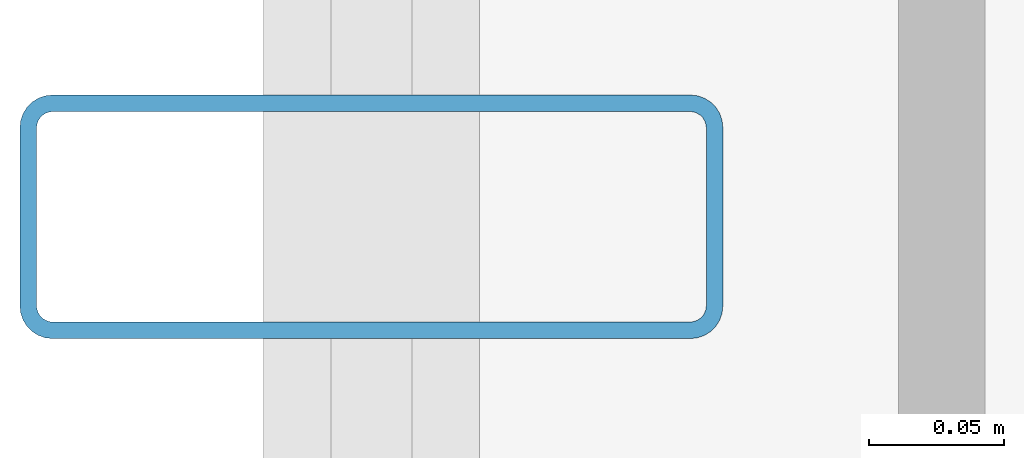
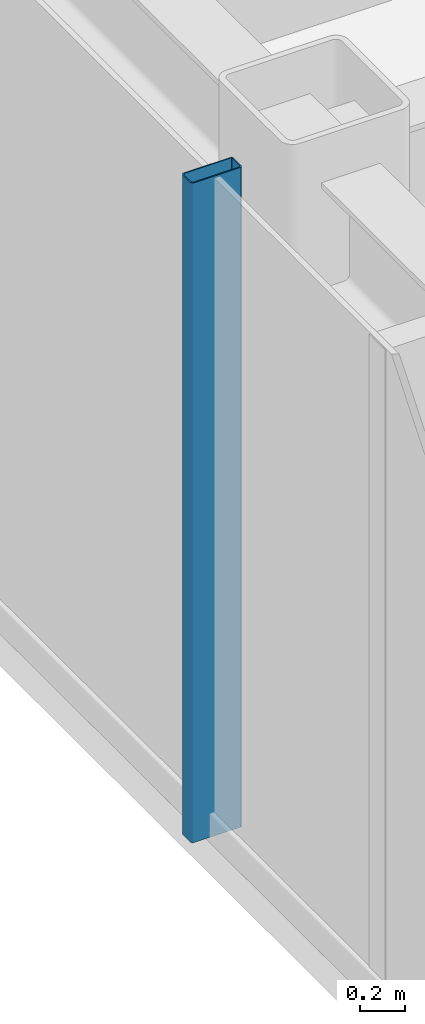
# One storey, part 4 of 18: 1 member, 1 element without a shape of its own.
"""IFC4 building model written with IfcOpenShell, lengths in metres."""

from ifc_helpers import new_model, si_unit, direction, frame, origin, origin_2d, place, context, subcontext, project, spatial, hollow_rectangle, extrude, source, transform, mapped, material, layer, layer_set, material_profile, profile_set, type_object, element, aggregate, save


model = new_model("IFC4")

# Units and contexts
model_context = context("Model", 3, precision=1e-05, world=origin(), true_north=direction((0.0, 1.0)))
body_context = subcontext(model_context, "Body", "Model", "MODEL_VIEW")
ifc_project = project(units=[si_unit("LENGTHUNIT", "METRE"), si_unit("AREAUNIT", "SQUARE_METRE"), si_unit("VOLUMEUNIT", "CUBIC_METRE"), si_unit("PLANEANGLEUNIT", "RADIAN"), si_unit("MASSUNIT", "GRAM", prefix="KILO")], contexts=[model_context])

# Site, building, storey
site_placement = place(None, origin())
site = spatial("IfcSite", under=ifc_project, at=site_placement, CompositionType="ELEMENT")
building_placement = place(site_placement, origin())
building = spatial("IfcBuilding", under=site, at=building_placement, Name="Nefas-Gora Pilgrimage Tower", CompositionType="ELEMENT")
storey_placement = place(building_placement, frame((0.0, 0.0, 272.199951171875)))
storey = spatial("IfcBuildingStorey", under=building, at=storey_placement, Name="L68", CompositionType="ELEMENT", Elevation=272.199951171875)

# Curtain wall, member
ifc_material_1 = material(Name="Dark ceramic-fritted solar-control aluminium-glass curtain wall", Category="aluminium")
ifc_layer = layer(ifc_material_1, 0.219970703125)
ifc_layer_set = layer_set([ifc_layer], Name="Dark ceramic-fritted solar-control aluminium-glass curtain wall")
curtain_wall_type = type_object("IfcCurtainWallType", Name="CW-SYS-4", PredefinedType="NOTDEFINED", material=ifc_layer_set)
curtain_wall_placement = place(storey_placement, origin())
curtain_wall = element("IfcCurtainWall", 1, at=curtain_wall_placement, inside=storey, type_object=curtain_wall_type, Name="L68 Unitised Curtain Wall CW4", PredefinedType="NOTDEFINED")
ifc_material_2 = material(Name="Anodised architectural aluminium", Category="aluminium")
ifc_material_profile = material_profile(ifc_material_2, hollow_rectangle(XDim=0.090087890625, YDim=0.260009765625, WallThickness=0.006103515625, InnerFilletRadius=0.006103515625, OuterFilletRadius=0.011962890625, at=origin_2d()), Name="ALU MULLION 90x260")
ifc_profile_set = profile_set([ifc_material_profile], Name="Anodised architectural aluminium")
member_type = type_object("IfcMemberType", Name="CWM-MUL-4", PredefinedType="MULLION", material=ifc_profile_set)
shared_shape = source(origin(), body_context, "Body", "SweptSolid", [
    extrude(hollow_rectangle(XDim=0.090087890625, YDim=0.260009765625, WallThickness=0.006103515625, InnerFilletRadius=0.006103515625, OuterFilletRadius=0.011962890625, at=origin_2d()), origin(), (0.0, 0.0, 1.0), 3.550048828125),
])
member_placement = place(storey_placement, frame((-25.27001953125, 0.0, 0.0), z_axis=(0.0, 0.0, 1.0), x_axis=(0.0, -1.0, 0.0)))
member = element("IfcMember", 2, at=member_placement, type_object=member_type, Name="CW4 Mullion 2", PredefinedType="MULLION", context=body_context, shape_type="MappedRepresentation", body=[
    mapped(shared_shape, transform((0.0, 0.0, 0.0), x_axis=(1.0, 0.0, 0.0), y_axis=(0.0, 1.0, 0.0), z_axis=(0.0, 0.0, 1.0), scale=1.0)),
])
aggregate(curtain_wall, [member])

save(model, "model.ifc")
